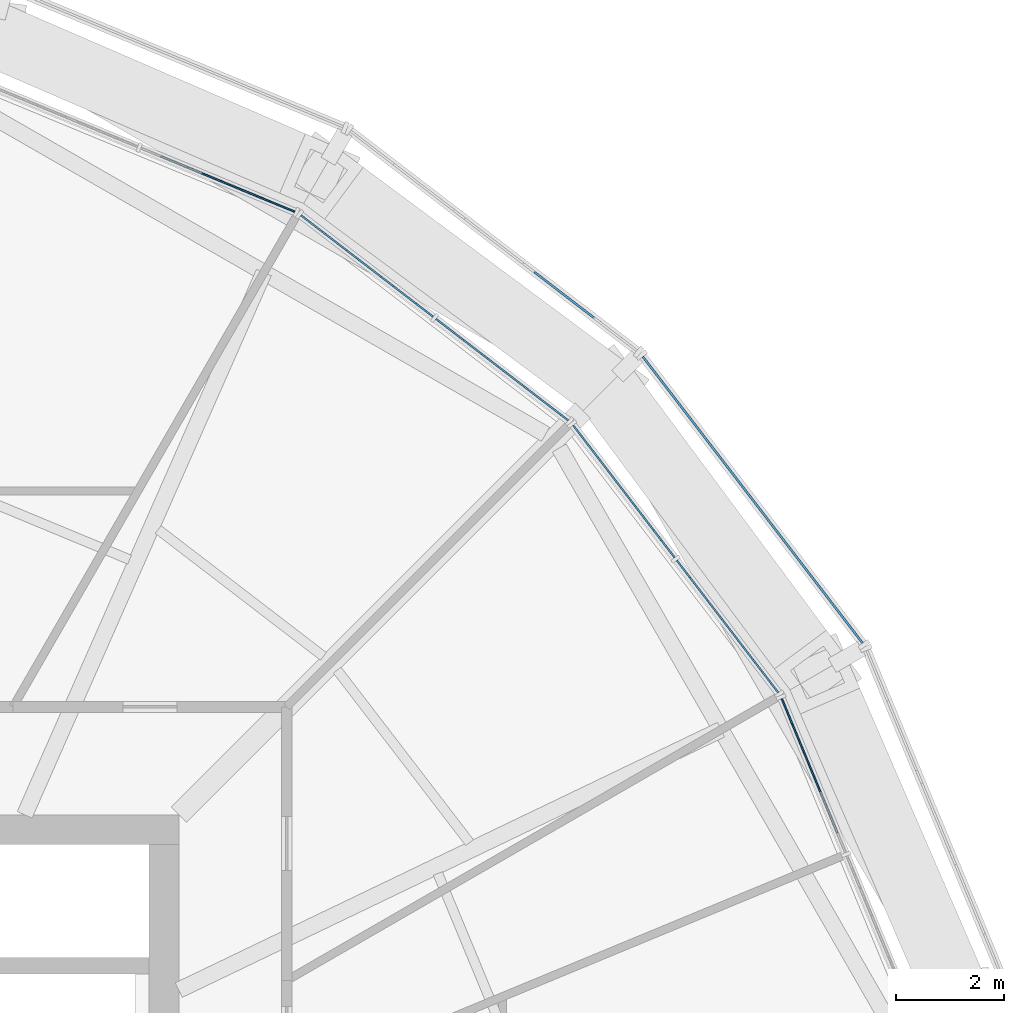
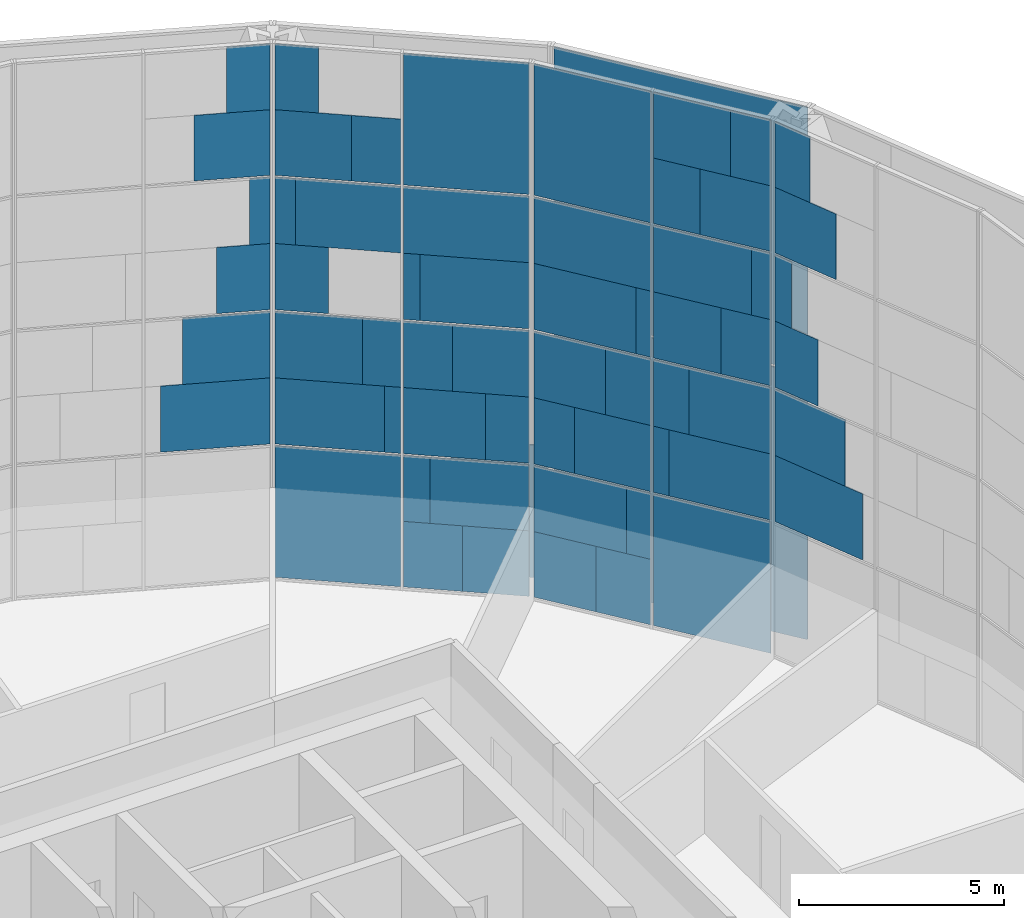
# One storey, part 23 of 28: 63 plates, 6 elements without a shape of their own.
"""IFC4 building model written with IfcOpenShell, lengths in metres."""

from ifc_helpers import new_model, si_unit, direction, frame, origin, origin_2d, place, context, subcontext, project, spatial, rectangle, extrude, material, layer, layer_set, type_object, element, aggregate, save


model = new_model("IFC4")

# Units and contexts
model_context = context("Model", 3, precision=1e-05, world=origin(), true_north=direction((0.0, 1.0)))
body_context = subcontext(model_context, "Body", "Model", "MODEL_VIEW")
ifc_project = project(units=[si_unit("LENGTHUNIT", "METRE"), si_unit("AREAUNIT", "SQUARE_METRE"), si_unit("VOLUMEUNIT", "CUBIC_METRE"), si_unit("PLANEANGLEUNIT", "RADIAN"), si_unit("MASSUNIT", "GRAM", prefix="KILO")], contexts=[model_context])

# Site, building, storey
site_placement = place(None, origin())
site = spatial("IfcSite", under=ifc_project, at=site_placement, CompositionType="ELEMENT")
building_placement = place(site_placement, origin())
building = spatial("IfcBuilding", under=site, at=building_placement, Name="Golbaran Civic Tower", CompositionType="ELEMENT")
storey_placement = place(building_placement, frame((0.0, 0.0, 134.0)))
storey = spatial("IfcBuildingStorey", under=building, at=storey_placement, Name="L32", CompositionType="ELEMENT", Elevation=134.0)

# Curtain wall, plates
ifc_material_1 = material(Name="Aluminium and glass", Category="aluminium")
curtain_wall_type_1 = type_object("IfcCurtainWallType", Name="INNER SKIN CURTAIN WALL", PredefinedType="NOTDEFINED", material=ifc_material_1)
curtain_wall_1_placement = place(storey_placement, origin())
curtain_wall_1 = element("IfcCurtainWall", 1, at=curtain_wall_1_placement, inside=storey, type_object=curtain_wall_type_1, Name="Inner skin L32 facet 2 CW1", ObjectType="INNER SKIN", PredefinedType="USERDEFINED")
ifc_material_2 = material(Name="Clear insulating glass", Category="glass")
ifc_layer_1 = layer(ifc_material_2, 0.031982421875, Name="Clear insulating glass")
ifc_layer_set_1 = layer_set([ifc_layer_1], Name="Clear insulating glass")
plate_type_1 = type_object("IfcPlateType", Name="INNER SKIN CURTAIN WALL GLAZED PANEL", PredefinedType="CURTAIN_PANEL", material=ifc_layer_set_1)
plate_1_placement = place(storey_placement, frame((21.692138671875, 10.909912109375, 4.03271484375), z_axis=(0.0, 0.0, 1.0), x_axis=(-0.38268343243, 0.923879532485, 0.0)))
plate_1 = element("IfcPlate", 2, at=plate_1_placement, type_object=plate_type_1, Name="CW1 panel 2.2 part 2", PredefinedType="CURTAIN_PANEL", context=body_context, shape_type="SweptSolid", body=[
    extrude(rectangle(XDim=2.689697265625, YDim=0.031982421875, at=origin_2d()), origin(), (0.0, 0.0, 1.0), 1.967529296875),
])
plate_2_placement = place(storey_placement, frame((21.58935546875, 11.158447265625, 6.0), z_axis=(0.0, 0.0, 1.0), x_axis=(-0.38268343243, 0.923879532485, 0.0)))
plate_2 = element("IfcPlate", 3, at=plate_2_placement, type_object=plate_type_1, Name="CW1 panel 2.2 part 4", PredefinedType="CURTAIN_PANEL", context=body_context, shape_type="SweptSolid", body=[
    extrude(rectangle(XDim=2.151611328125, YDim=0.031982421875, at=origin_2d()), origin(), (0.0, 0.0, 1.0), 1.967529296875),
])
plate_3_placement = place(storey_placement, frame((21.4287109375, 11.546142578125, 8.03271484375), z_axis=(0.0, 0.0, 1.0), x_axis=(-0.38268343243, 0.923879532485, 0.0)))
plate_3 = element("IfcPlate", 4, at=plate_3_placement, type_object=plate_type_1, Name="CW1 panel 2.3 part 2", PredefinedType="CURTAIN_PANEL", context=body_context, shape_type="SweptSolid", body=[
    extrude(rectangle(XDim=1.3125, YDim=0.031982421875, at=origin_2d()), origin(), (0.0, 0.0, 1.0), 1.967529296875),
])
plate_4_placement = place(storey_placement, frame((21.2734375, 11.920654296875, 10.0), z_axis=(0.0, 0.0, 1.0), x_axis=(-0.38268343243, 0.923879532485, 0.0)))
plate_4 = element("IfcPlate", 5, at=plate_4_placement, type_object=plate_type_1, Name="CW1 panel 2.3 part 4", PredefinedType="CURTAIN_PANEL", context=body_context, shape_type="SweptSolid", body=[
    extrude(rectangle(XDim=0.501708984375, YDim=0.031982421875, at=origin_2d()), origin(), (0.0, 0.0, 1.0), 1.967529296875),
])

curtain_wall_2_placement = place(storey_placement, origin())
curtain_wall_2 = element("IfcCurtainWall", 6, at=curtain_wall_2_placement, inside=storey, type_object=curtain_wall_type_1, Name="Inner skin L32 facet 3 CW1", ObjectType="INNER SKIN", PredefinedType="USERDEFINED")
plate_5_placement = place(storey_placement, frame((20.17236328125, 13.489990234375, 0.06494140625), z_axis=(0.0, 0.0, 1.0), x_axis=(-0.60876142905, 0.793353340259, 0.0)))
plate_5 = element("IfcPlate", 7, at=plate_5_placement, type_object=plate_type_1, Name="CW1 panel 1.1", PredefinedType="CURTAIN_PANEL", context=body_context, shape_type="SweptSolid", body=[
    extrude(rectangle(XDim=3.090576171875, YDim=0.031982421875, at=origin_2d()), origin(), (0.0, 0.0, 1.0), 3.902587890625),
])
plate_6_placement = place(storey_placement, frame((20.294677734375, 13.330810546875, 4.03271484375), z_axis=(0.0, 0.0, 1.0), x_axis=(-0.60876142905, 0.793353340259, 0.0)))
plate_6 = element("IfcPlate", 8, at=plate_6_placement, type_object=plate_type_1, Name="CW1 panel 1.2 part 1", PredefinedType="CURTAIN_PANEL", context=body_context, shape_type="SweptSolid", body=[
    extrude(rectangle(XDim=2.68896484375, YDim=0.031982421875, at=origin_2d()), origin(), (0.0, 0.0, 1.0), 1.967529296875),
])
plate_7_placement = place(storey_placement, frame((20.45849609375, 13.117431640625, 6.0), z_axis=(0.0, 0.0, 1.0), x_axis=(-0.60876142905, 0.793353340259, 0.0)))
plate_7 = element("IfcPlate", 9, at=plate_7_placement, type_object=plate_type_1, Name="CW1 panel 1.2 part 3", PredefinedType="CURTAIN_PANEL", context=body_context, shape_type="SweptSolid", body=[
    extrude(rectangle(XDim=2.15087890625, YDim=0.031982421875, at=origin_2d()), origin(), (0.0, 0.0, 1.0), 1.967529296875),
])
plate_8_placement = place(storey_placement, frame((20.71337890625, 12.784912109375, 8.03271484375), z_axis=(0.0, 0.0, 1.0), x_axis=(-0.60876142905, 0.793353340259, 0.0)))
plate_8 = element("IfcPlate", 10, at=plate_8_placement, type_object=plate_type_1, Name="CW1 panel 1.3 part 1", PredefinedType="CURTAIN_PANEL", context=body_context, shape_type="SweptSolid", body=[
    extrude(rectangle(XDim=1.31298828125, YDim=0.031982421875, at=origin_2d()), origin(), (0.0, 0.0, 1.0), 1.967529296875),
])
plate_9_placement = place(storey_placement, frame((20.960693359375, 12.462890625, 10.0), z_axis=(0.0, 0.0, 1.0), x_axis=(-0.60876142905, 0.793353340259, 0.0)))
plate_9 = element("IfcPlate", 11, at=plate_9_placement, type_object=plate_type_1, Name="CW1 panel 1.3 part 3", PredefinedType="CURTAIN_PANEL", context=body_context, shape_type="SweptSolid", body=[
    extrude(rectangle(XDim=0.5009765625, YDim=0.031982421875, at=origin_2d()), origin(), (0.0, 0.0, 1.0), 1.967529296875),
])
plate_10_placement = place(storey_placement, frame((19.6025390625, 14.232666015625, 12.032470703125), z_axis=(0.0, 0.0, 1.0), x_axis=(-0.60876142905, 0.793353340259, 0.0)))
plate_10 = element("IfcPlate", 12, at=plate_10_placement, type_object=plate_type_1, Name="CW1 panel 1.4 part 2", PredefinedType="CURTAIN_PANEL", context=body_context, shape_type="SweptSolid", body=[
    extrude(rectangle(XDim=1.218505859375, YDim=0.031982421875, at=origin_2d()), origin(), (0.0, 0.0, 1.0), 1.951171875),
])
plate_11_placement = place(storey_placement, frame((19.84765625, 13.913330078125, 13.98388671875), z_axis=(0.0, 0.0, 1.0), x_axis=(-0.60876142905, 0.793353340259, 0.0)))
plate_11 = element("IfcPlate", 13, at=plate_11_placement, type_object=plate_type_1, Name="CW1 panel 1.4 part 4", PredefinedType="CURTAIN_PANEL", context=body_context, shape_type="SweptSolid", body=[
    extrude(rectangle(XDim=2.023681640625, YDim=0.031982421875, at=origin_2d()), origin(), (0.0, 0.0, 1.0), 1.951171875),
])
plate_12_placement = place(storey_placement, frame((18.75048828125, 15.34326171875, 0.06494140625), z_axis=(0.0, 0.0, 1.0), x_axis=(-0.60876142905, 0.793353340259, 0.0)))
plate_12 = element("IfcPlate", 14, at=plate_12_placement, type_object=plate_type_1, Name="CW1 panel 2.1 part 1", PredefinedType="CURTAIN_PANEL", context=body_context, shape_type="SweptSolid", body=[
    extrude(rectangle(XDim=1.450927734375, YDim=0.031982421875, at=origin_2d()), origin(), (0.0, 0.0, 1.0), 1.951171875),
])
plate_13_placement = place(storey_placement, frame((18.995361328125, 15.02392578125, 2.016357421875), z_axis=(0.0, 0.0, 1.0), x_axis=(-0.60876142905, 0.793353340259, 0.0)))
plate_13 = element("IfcPlate", 15, at=plate_13_placement, type_object=plate_type_1, Name="CW1 panel 2.1 part 3", PredefinedType="CURTAIN_PANEL", context=body_context, shape_type="SweptSolid", body=[
    extrude(rectangle(XDim=0.64599609375, YDim=0.031982421875, at=origin_2d()), origin(), (0.0, 0.0, 1.0), 1.951171875),
])
plate_14_placement = place(storey_placement, frame((17.637451171875, 16.793701171875, 4.03271484375), z_axis=(0.0, 0.0, 1.0), x_axis=(-0.60876142905, 0.793353340259, 0.0)))
plate_14 = element("IfcPlate", 16, at=plate_14_placement, type_object=plate_type_1, Name="CW1 panel 2.2 part 2", PredefinedType="CURTAIN_PANEL", context=body_context, shape_type="SweptSolid", body=[
    extrude(rectangle(XDim=1.073486328125, YDim=0.031982421875, at=origin_2d()), origin(), (0.0, 0.0, 1.0), 1.967529296875),
])
plate_15_placement = place(storey_placement, frame((17.88427734375, 16.471923828125, 6.0), z_axis=(0.0, 0.0, 1.0), x_axis=(-0.60876142905, 0.793353340259, 0.0)))
plate_15 = element("IfcPlate", 17, at=plate_15_placement, type_object=plate_type_1, Name="CW1 panel 2.2 part 4", PredefinedType="CURTAIN_PANEL", context=body_context, shape_type="SweptSolid", body=[
    extrude(rectangle(XDim=1.884521484375, YDim=0.031982421875, at=origin_2d()), origin(), (0.0, 0.0, 1.0), 1.967529296875),
])
plate_16_placement = place(storey_placement, frame((18.12939453125, 16.152587890625, 8.03271484375), z_axis=(0.0, 0.0, 1.0), x_axis=(-0.60876142905, 0.793353340259, 0.0)))
plate_16 = element("IfcPlate", 18, at=plate_16_placement, type_object=plate_type_1, Name="CW1 panel 2.3 part 2", PredefinedType="CURTAIN_PANEL", context=body_context, shape_type="SweptSolid", body=[
    extrude(rectangle(XDim=2.689697265625, YDim=0.031982421875, at=origin_2d()), origin(), (0.0, 0.0, 1.0), 1.967529296875),
])
plate_17_placement = place(storey_placement, frame((18.25146484375, 15.99365234375, 10.0), z_axis=(0.0, 0.0, 1.0), x_axis=(-0.60876142905, 0.793353340259, 0.0)))
plate_17 = element("IfcPlate", 19, at=plate_17_placement, type_object=plate_type_1, Name="CW1 panel 2.3 part 3", PredefinedType="CURTAIN_PANEL", context=body_context, shape_type="SweptSolid", body=[
    extrude(rectangle(XDim=3.090576171875, YDim=0.031982421875, at=origin_2d()), origin(), (0.0, 0.0, 1.0), 1.967529296875),
])
plate_18_placement = place(storey_placement, frame((18.25146484375, 15.99365234375, 12.0322265625), z_axis=(0.0, 0.0, 1.0), x_axis=(-0.60876142905, 0.793353340259, 0.0)))
plate_18 = element("IfcPlate", 20, at=plate_18_placement, type_object=plate_type_1, Name="CW1 panel 2.4", PredefinedType="CURTAIN_PANEL", context=body_context, shape_type="SweptSolid", body=[
    extrude(rectangle(XDim=3.090576171875, YDim=0.031982421875, at=origin_2d()), origin(), (0.0, 0.0, 1.0), 3.902587890625),
])

curtain_wall_3_placement = place(storey_placement, origin())
curtain_wall_3 = element("IfcCurtainWall", 21, at=curtain_wall_3_placement, inside=storey, type_object=curtain_wall_type_1, Name="Inner skin L32 facet 4 CW1", ObjectType="INNER SKIN", PredefinedType="USERDEFINED")
plate_19_placement = place(storey_placement, frame((15.343505859375, 18.750244140625, 0.06494140625), z_axis=(0.0, 0.0, 1.0), x_axis=(-0.793353340259, 0.60876142905, 0.0)))
plate_19 = element("IfcPlate", 22, at=plate_19_placement, type_object=plate_type_1, Name="CW1 panel 1.1 part 2", PredefinedType="CURTAIN_PANEL", context=body_context, shape_type="SweptSolid", body=[
    extrude(rectangle(XDim=1.45166015625, YDim=0.031982421875, at=origin_2d()), origin(), (0.0, 0.0, 1.0), 1.951171875),
])
plate_20_placement = place(storey_placement, frame((15.024169921875, 18.995361328125, 2.016357421875), z_axis=(0.0, 0.0, 1.0), x_axis=(-0.793353340259, 0.60876142905, 0.0)))
plate_20 = element("IfcPlate", 23, at=plate_20_placement, type_object=plate_type_1, Name="CW1 panel 1.1 part 4", PredefinedType="CURTAIN_PANEL", context=body_context, shape_type="SweptSolid", body=[
    extrude(rectangle(XDim=0.646484375, YDim=0.031982421875, at=origin_2d()), origin(), (0.0, 0.0, 1.0), 1.951171875),
])
plate_21_placement = place(storey_placement, frame((16.7939453125, 17.63720703125, 4.03271484375), z_axis=(0.0, 0.0, 1.0), x_axis=(-0.793353340259, 0.60876142905, 0.0)))
plate_21 = element("IfcPlate", 24, at=plate_21_placement, type_object=plate_type_1, Name="CW1 panel 1.2 part 1", PredefinedType="CURTAIN_PANEL", context=body_context, shape_type="SweptSolid", body=[
    extrude(rectangle(XDim=1.072998046875, YDim=0.031982421875, at=origin_2d()), origin(), (0.0, 0.0, 1.0), 1.967529296875),
])
plate_22_placement = place(storey_placement, frame((16.4716796875, 17.884521484375, 6.0), z_axis=(0.0, 0.0, 1.0), x_axis=(-0.793353340259, 0.60876142905, 0.0)))
plate_22 = element("IfcPlate", 25, at=plate_22_placement, type_object=plate_type_1, Name="CW1 panel 1.2 part 3", PredefinedType="CURTAIN_PANEL", context=body_context, shape_type="SweptSolid", body=[
    extrude(rectangle(XDim=1.885009765625, YDim=0.031982421875, at=origin_2d()), origin(), (0.0, 0.0, 1.0), 1.967529296875),
])
plate_23_placement = place(storey_placement, frame((16.15283203125, 18.129150390625, 8.03271484375), z_axis=(0.0, 0.0, 1.0), x_axis=(-0.793353340259, 0.60876142905, 0.0)))
plate_23 = element("IfcPlate", 26, at=plate_23_placement, type_object=plate_type_1, Name="CW1 panel 1.3 part 1", PredefinedType="CURTAIN_PANEL", context=body_context, shape_type="SweptSolid", body=[
    extrude(rectangle(XDim=2.68896484375, YDim=0.031982421875, at=origin_2d()), origin(), (0.0, 0.0, 1.0), 1.967529296875),
])
plate_24_placement = place(storey_placement, frame((15.99365234375, 18.25146484375, 10.0), z_axis=(0.0, 0.0, 1.0), x_axis=(-0.793353340259, 0.60876142905, 0.0)))
plate_24 = element("IfcPlate", 27, at=plate_24_placement, type_object=plate_type_1, Name="CW1 panel 1.3 part 3", PredefinedType="CURTAIN_PANEL", context=body_context, shape_type="SweptSolid", body=[
    extrude(rectangle(XDim=3.090576171875, YDim=0.031982421875, at=origin_2d()), origin(), (0.0, 0.0, 1.0), 1.967529296875),
])
plate_25_placement = place(storey_placement, frame((15.99365234375, 18.25146484375, 12.0322265625), z_axis=(0.0, 0.0, 1.0), x_axis=(-0.793353340259, 0.60876142905, 0.0)))
plate_25 = element("IfcPlate", 28, at=plate_25_placement, type_object=plate_type_1, Name="CW1 panel 1.4", PredefinedType="CURTAIN_PANEL", context=body_context, shape_type="SweptSolid", body=[
    extrude(rectangle(XDim=3.090576171875, YDim=0.031982421875, at=origin_2d()), origin(), (0.0, 0.0, 1.0), 3.902587890625),
])
plate_26_placement = place(storey_placement, frame((13.489990234375, 20.17236328125, 0.06494140625), z_axis=(0.0, 0.0, 1.0), x_axis=(-0.793353340259, 0.60876142905, 0.0)))
plate_26 = element("IfcPlate", 29, at=plate_26_placement, type_object=plate_type_1, Name="CW1 panel 2.1", PredefinedType="CURTAIN_PANEL", context=body_context, shape_type="SweptSolid", body=[
    extrude(rectangle(XDim=3.090576171875, YDim=0.031982421875, at=origin_2d()), origin(), (0.0, 0.0, 1.0), 3.902587890625),
])
plate_27_placement = place(storey_placement, frame((13.3310546875, 20.29443359375, 4.03271484375), z_axis=(0.0, 0.0, 1.0), x_axis=(-0.793353340259, 0.60876142905, 0.0)))
plate_27 = element("IfcPlate", 30, at=plate_27_placement, type_object=plate_type_1, Name="CW1 panel 2.2 part 2", PredefinedType="CURTAIN_PANEL", context=body_context, shape_type="SweptSolid", body=[
    extrude(rectangle(XDim=2.689697265625, YDim=0.031982421875, at=origin_2d()), origin(), (0.0, 0.0, 1.0), 1.967529296875),
])
plate_28_placement = place(storey_placement, frame((13.11767578125, 20.458251953125, 6.0), z_axis=(0.0, 0.0, 1.0), x_axis=(-0.793353340259, 0.60876142905, 0.0)))
plate_28 = element("IfcPlate", 31, at=plate_28_placement, type_object=plate_type_1, Name="CW1 panel 2.2 part 4", PredefinedType="CURTAIN_PANEL", context=body_context, shape_type="SweptSolid", body=[
    extrude(rectangle(XDim=2.151611328125, YDim=0.031982421875, at=origin_2d()), origin(), (0.0, 0.0, 1.0), 1.967529296875),
])
plate_29_placement = place(storey_placement, frame((12.78466796875, 20.713623046875, 8.03271484375), z_axis=(0.0, 0.0, 1.0), x_axis=(-0.793353340259, 0.60876142905, 0.0)))
plate_29 = element("IfcPlate", 32, at=plate_29_placement, type_object=plate_type_1, Name="CW1 panel 2.3 part 2", PredefinedType="CURTAIN_PANEL", context=body_context, shape_type="SweptSolid", body=[
    extrude(rectangle(XDim=1.3125, YDim=0.031982421875, at=origin_2d()), origin(), (0.0, 0.0, 1.0), 1.967529296875),
])
plate_30_placement = place(storey_placement, frame((12.463134765625, 20.96044921875, 10.0), z_axis=(0.0, 0.0, 1.0), x_axis=(-0.793353340259, 0.60876142905, 0.0)))
plate_30 = element("IfcPlate", 33, at=plate_30_placement, type_object=plate_type_1, Name="CW1 panel 2.3 part 4", PredefinedType="CURTAIN_PANEL", context=body_context, shape_type="SweptSolid", body=[
    extrude(rectangle(XDim=0.501708984375, YDim=0.031982421875, at=origin_2d()), origin(), (0.0, 0.0, 1.0), 1.967529296875),
])
plate_31_placement = place(storey_placement, frame((14.23291015625, 19.602294921875, 12.032470703125), z_axis=(0.0, 0.0, 1.0), x_axis=(-0.793353340259, 0.60876142905, 0.0)))
plate_31 = element("IfcPlate", 34, at=plate_31_placement, type_object=plate_type_1, Name="CW1 panel 2.4 part 1", PredefinedType="CURTAIN_PANEL", context=body_context, shape_type="SweptSolid", body=[
    extrude(rectangle(XDim=1.218017578125, YDim=0.031982421875, at=origin_2d()), origin(), (0.0, 0.0, 1.0), 1.951171875),
])

curtain_wall_4_placement = place(storey_placement, origin())
curtain_wall_4 = element("IfcCurtainWall", 35, at=curtain_wall_4_placement, inside=storey, type_object=curtain_wall_type_1, Name="Inner skin L32 facet 5 CW1", ObjectType="INNER SKIN", PredefinedType="USERDEFINED")
plate_32_placement = place(storey_placement, frame((10.910400390625, 21.692138671875, 4.03271484375), z_axis=(0.0, 0.0, 1.0), x_axis=(-0.923879532485, 0.38268343243, 0.0)))
plate_32 = element("IfcPlate", 36, at=plate_32_placement, type_object=plate_type_1, Name="CW1 panel 1.2 part 1", PredefinedType="CURTAIN_PANEL", context=body_context, shape_type="SweptSolid", body=[
    extrude(rectangle(XDim=2.68896484375, YDim=0.031982421875, at=origin_2d()), origin(), (0.0, 0.0, 1.0), 1.967529296875),
])
plate_33_placement = place(storey_placement, frame((11.158935546875, 21.589111328125, 6.0), z_axis=(0.0, 0.0, 1.0), x_axis=(-0.923879532485, 0.38268343243, 0.0)))
plate_33 = element("IfcPlate", 37, at=plate_33_placement, type_object=plate_type_1, Name="CW1 panel 1.2 part 3", PredefinedType="CURTAIN_PANEL", context=body_context, shape_type="SweptSolid", body=[
    extrude(rectangle(XDim=2.15087890625, YDim=0.031982421875, at=origin_2d()), origin(), (0.0, 0.0, 1.0), 1.967529296875),
])
plate_34_placement = place(storey_placement, frame((11.5458984375, 21.4287109375, 8.03271484375), z_axis=(0.0, 0.0, 1.0), x_axis=(-0.923879532485, 0.38268343243, 0.0)))
plate_34 = element("IfcPlate", 38, at=plate_34_placement, type_object=plate_type_1, Name="CW1 panel 1.3 part 1", PredefinedType="CURTAIN_PANEL", context=body_context, shape_type="SweptSolid", body=[
    extrude(rectangle(XDim=1.31298828125, YDim=0.031982421875, at=origin_2d()), origin(), (0.0, 0.0, 1.0), 1.967529296875),
])
plate_35_placement = place(storey_placement, frame((11.9208984375, 21.2734375, 10.0), z_axis=(0.0, 0.0, 1.0), x_axis=(-0.923879532485, 0.38268343243, 0.0)))
plate_35 = element("IfcPlate", 39, at=plate_35_placement, type_object=plate_type_1, Name="CW1 panel 1.3 part 3", PredefinedType="CURTAIN_PANEL", context=body_context, shape_type="SweptSolid", body=[
    extrude(rectangle(XDim=0.5009765625, YDim=0.031982421875, at=origin_2d()), origin(), (0.0, 0.0, 1.0), 1.967529296875),
])

# Plate
ifc_material_3 = material(Name="Aluminium faced opaque infill panel", Category="aluminium")
ifc_layer_2 = layer(ifc_material_3, 0.031982421875, Name="Aluminium faced opaque infill panel")
ifc_layer_set_2 = layer_set([ifc_layer_2], Name="Aluminium faced opaque infill panel")
plate_type_2 = type_object("IfcPlateType", Name="INNER SKIN CURTAIN WALL OPAQUE INFILL PANEL", PredefinedType="CURTAIN_PANEL", material=ifc_layer_set_2)
plate_36_placement = place(storey_placement, frame((21.535888671875, 11.287353515625, 12.032470703125), z_axis=(0.0, 0.0, 1.0), x_axis=(-0.38268343243, 0.923879532485, 0.0)))
plate_36 = element("IfcPlate", 40, at=plate_36_placement, type_object=plate_type_2, Name="CW1 infill panel 2.4 part 2", PredefinedType="CURTAIN_PANEL", context=body_context, shape_type="SweptSolid", body=[
    extrude(rectangle(XDim=1.87255859375, YDim=0.031982421875, at=origin_2d()), origin(), (0.0, 0.0, 1.0), 1.951171875),
])

plate_37_placement = place(storey_placement, frame((21.3818359375, 11.6591796875, 13.98388671875), z_axis=(0.0, 0.0, 1.0), x_axis=(-0.38268343243, 0.923879532485, 0.0)))
plate_37 = element("IfcPlate", 41, at=plate_37_placement, type_object=plate_type_2, Name="CW1 infill panel 2.4 part 4", PredefinedType="CURTAIN_PANEL", context=body_context, shape_type="SweptSolid", body=[
    extrude(rectangle(XDim=1.067626953125, YDim=0.031982421875, at=origin_2d()), origin(), (0.0, 0.0, 1.0), 1.951171875),
])

aggregate(curtain_wall_1, [plate_1, plate_2, plate_3, plate_4, plate_36, plate_37])

plate_38_placement = place(storey_placement, frame((19.35400390625, 14.556640625, 4.03271484375), z_axis=(0.0, 0.0, 1.0), x_axis=(-0.60876142905, 0.793353340259, 0.0)))
plate_38 = element("IfcPlate", 42, at=plate_38_placement, type_object=plate_type_2, Name="CW1 infill panel 1.2 part 2", PredefinedType="CURTAIN_PANEL", context=body_context, shape_type="SweptSolid", body=[
    extrude(rectangle(XDim=0.401611328125, YDim=0.031982421875, at=origin_2d()), origin(), (0.0, 0.0, 1.0), 1.967529296875),
])

plate_39_placement = place(storey_placement, frame((19.517578125, 14.34326171875, 6.0), z_axis=(0.0, 0.0, 1.0), x_axis=(-0.60876142905, 0.793353340259, 0.0)))
plate_39 = element("IfcPlate", 43, at=plate_39_placement, type_object=plate_type_2, Name="CW1 infill panel 1.2 part 4", PredefinedType="CURTAIN_PANEL", context=body_context, shape_type="SweptSolid", body=[
    extrude(rectangle(XDim=0.939697265625, YDim=0.031982421875, at=origin_2d()), origin(), (0.0, 0.0, 1.0), 1.967529296875),
])

plate_40_placement = place(storey_placement, frame((19.772705078125, 14.010986328125, 8.03271484375), z_axis=(0.0, 0.0, 1.0), x_axis=(-0.60876142905, 0.793353340259, 0.0)))
plate_40 = element("IfcPlate", 44, at=plate_40_placement, type_object=plate_type_2, Name="CW1 infill panel 1.3 part 2", PredefinedType="CURTAIN_PANEL", context=body_context, shape_type="SweptSolid", body=[
    extrude(rectangle(XDim=1.777587890625, YDim=0.031982421875, at=origin_2d()), origin(), (0.0, 0.0, 1.0), 1.967529296875),
])

plate_41_placement = place(storey_placement, frame((20.019775390625, 13.688720703125, 10.0), z_axis=(0.0, 0.0, 1.0), x_axis=(-0.60876142905, 0.793353340259, 0.0)))
plate_41 = element("IfcPlate", 45, at=plate_41_placement, type_object=plate_type_2, Name="CW1 infill panel 1.3 part 4", PredefinedType="CURTAIN_PANEL", context=body_context, shape_type="SweptSolid", body=[
    extrude(rectangle(XDim=2.589599609375, YDim=0.031982421875, at=origin_2d()), origin(), (0.0, 0.0, 1.0), 1.967529296875),
])

plate_42_placement = place(storey_placement, frame((20.543212890625, 13.006591796875, 12.032470703125), z_axis=(0.0, 0.0, 1.0), x_axis=(-0.60876142905, 0.793353340259, 0.0)))
plate_42 = element("IfcPlate", 46, at=plate_42_placement, type_object=plate_type_2, Name="CW1 infill panel 1.4 part 1", PredefinedType="CURTAIN_PANEL", context=body_context, shape_type="SweptSolid", body=[
    extrude(rectangle(XDim=1.8720703125, YDim=0.031982421875, at=origin_2d()), origin(), (0.0, 0.0, 1.0), 1.951171875),
])

plate_43_placement = place(storey_placement, frame((20.788330078125, 12.687255859375, 13.98388671875), z_axis=(0.0, 0.0, 1.0), x_axis=(-0.60876142905, 0.793353340259, 0.0)))
plate_43 = element("IfcPlate", 47, at=plate_43_placement, type_object=plate_type_2, Name="CW1 infill panel 1.4 part 3", PredefinedType="CURTAIN_PANEL", context=body_context, shape_type="SweptSolid", body=[
    extrude(rectangle(XDim=1.06689453125, YDim=0.031982421875, at=origin_2d()), origin(), (0.0, 0.0, 1.0), 1.951171875),
])

plate_44_placement = place(storey_placement, frame((17.809814453125, 16.569091796875, 0.06494140625), z_axis=(0.0, 0.0, 1.0), x_axis=(-0.60876142905, 0.793353340259, 0.0)))
plate_44 = element("IfcPlate", 48, at=plate_44_placement, type_object=plate_type_2, Name="CW1 infill panel 2.1 part 2", PredefinedType="CURTAIN_PANEL", context=body_context, shape_type="SweptSolid", body=[
    extrude(rectangle(XDim=1.6396484375, YDim=0.031982421875, at=origin_2d()), origin(), (0.0, 0.0, 1.0), 1.951171875),
])

plate_45_placement = place(storey_placement, frame((18.0546875, 16.249755859375, 2.016357421875), z_axis=(0.0, 0.0, 1.0), x_axis=(-0.60876142905, 0.793353340259, 0.0)))
plate_45 = element("IfcPlate", 49, at=plate_45_placement, type_object=plate_type_2, Name="CW1 infill panel 2.1 part 4", PredefinedType="CURTAIN_PANEL", context=body_context, shape_type="SweptSolid", body=[
    extrude(rectangle(XDim=2.444580078125, YDim=0.031982421875, at=origin_2d()), origin(), (0.0, 0.0, 1.0), 1.951171875),
])

plate_46_placement = place(storey_placement, frame((18.578125, 15.567626953125, 4.03271484375), z_axis=(0.0, 0.0, 1.0), x_axis=(-0.60876142905, 0.793353340259, 0.0)))
plate_46 = element("IfcPlate", 50, at=plate_46_placement, type_object=plate_type_2, Name="CW1 infill panel 2.2 part 1", PredefinedType="CURTAIN_PANEL", context=body_context, shape_type="SweptSolid", body=[
    extrude(rectangle(XDim=2.01708984375, YDim=0.031982421875, at=origin_2d()), origin(), (0.0, 0.0, 1.0), 1.967529296875),
])

plate_47_placement = place(storey_placement, frame((18.824951171875, 15.245849609375, 6.0), z_axis=(0.0, 0.0, 1.0), x_axis=(-0.60876142905, 0.793353340259, 0.0)))
plate_47 = element("IfcPlate", 51, at=plate_47_placement, type_object=plate_type_2, Name="CW1 infill panel 2.2 part 3", PredefinedType="CURTAIN_PANEL", context=body_context, shape_type="SweptSolid", body=[
    extrude(rectangle(XDim=1.2060546875, YDim=0.031982421875, at=origin_2d()), origin(), (0.0, 0.0, 1.0), 1.967529296875),
])

plate_48_placement = place(storey_placement, frame((19.070068359375, 14.9267578125, 8.03271484375), z_axis=(0.0, 0.0, 1.0), x_axis=(-0.60876142905, 0.793353340259, 0.0)))
plate_48 = element("IfcPlate", 52, at=plate_48_placement, type_object=plate_type_2, Name="CW1 infill panel 2.3 part 1", PredefinedType="CURTAIN_PANEL", context=body_context, shape_type="SweptSolid", body=[
    extrude(rectangle(XDim=0.40087890625, YDim=0.031982421875, at=origin_2d()), origin(), (0.0, 0.0, 1.0), 1.967529296875),
])

aggregate(curtain_wall_2, [plate_5, plate_6, plate_38, plate_7, plate_39, plate_8, plate_40, plate_9, plate_41, plate_42, plate_10, plate_43, plate_11, plate_12, plate_44, plate_13, plate_45, plate_46, plate_14, plate_47, plate_15, plate_48, plate_16, plate_17, plate_18])

plate_49_placement = place(storey_placement, frame((16.5693359375, 17.8095703125, 0.06494140625), z_axis=(0.0, 0.0, 1.0), x_axis=(-0.793353340259, 0.60876142905, 0.0)))
plate_49 = element("IfcPlate", 53, at=plate_49_placement, type_object=plate_type_2, Name="CW1 infill panel 1.1 part 1", PredefinedType="CURTAIN_PANEL", context=body_context, shape_type="SweptSolid", body=[
    extrude(rectangle(XDim=1.638916015625, YDim=0.031982421875, at=origin_2d()), origin(), (0.0, 0.0, 1.0), 1.951171875),
])

plate_50_placement = place(storey_placement, frame((16.25, 18.054443359375, 2.016357421875), z_axis=(0.0, 0.0, 1.0), x_axis=(-0.793353340259, 0.60876142905, 0.0)))
plate_50 = element("IfcPlate", 54, at=plate_50_placement, type_object=plate_type_2, Name="CW1 infill panel 1.1 part 3", PredefinedType="CURTAIN_PANEL", context=body_context, shape_type="SweptSolid", body=[
    extrude(rectangle(XDim=2.444091796875, YDim=0.031982421875, at=origin_2d()), origin(), (0.0, 0.0, 1.0), 1.951171875),
])

plate_51_placement = place(storey_placement, frame((15.56787109375, 18.577880859375, 4.03271484375), z_axis=(0.0, 0.0, 1.0), x_axis=(-0.793353340259, 0.60876142905, 0.0)))
plate_51 = element("IfcPlate", 55, at=plate_51_placement, type_object=plate_type_2, Name="CW1 infill panel 1.2 part 2", PredefinedType="CURTAIN_PANEL", context=body_context, shape_type="SweptSolid", body=[
    extrude(rectangle(XDim=2.017578125, YDim=0.031982421875, at=origin_2d()), origin(), (0.0, 0.0, 1.0), 1.967529296875),
])

plate_52_placement = place(storey_placement, frame((15.245849609375, 18.8251953125, 6.0), z_axis=(0.0, 0.0, 1.0), x_axis=(-0.793353340259, 0.60876142905, 0.0)))
plate_52 = element("IfcPlate", 56, at=plate_52_placement, type_object=plate_type_2, Name="CW1 infill panel 1.2 part 4", PredefinedType="CURTAIN_PANEL", context=body_context, shape_type="SweptSolid", body=[
    extrude(rectangle(XDim=1.20556640625, YDim=0.031982421875, at=origin_2d()), origin(), (0.0, 0.0, 1.0), 1.967529296875),
])

plate_53_placement = place(storey_placement, frame((14.927001953125, 19.06982421875, 8.03271484375), z_axis=(0.0, 0.0, 1.0), x_axis=(-0.793353340259, 0.60876142905, 0.0)))
plate_53 = element("IfcPlate", 57, at=plate_53_placement, type_object=plate_type_2, Name="CW1 infill panel 1.3 part 2", PredefinedType="CURTAIN_PANEL", context=body_context, shape_type="SweptSolid", body=[
    extrude(rectangle(XDim=0.401611328125, YDim=0.031982421875, at=origin_2d()), origin(), (0.0, 0.0, 1.0), 1.967529296875),
])

plate_54_placement = place(storey_placement, frame((14.556884765625, 19.353759765625, 4.03271484375), z_axis=(0.0, 0.0, 1.0), x_axis=(-0.793353340259, 0.60876142905, 0.0)))
plate_54 = element("IfcPlate", 58, at=plate_54_placement, type_object=plate_type_2, Name="CW1 infill panel 2.2 part 1", PredefinedType="CURTAIN_PANEL", context=body_context, shape_type="SweptSolid", body=[
    extrude(rectangle(XDim=0.40087890625, YDim=0.031982421875, at=origin_2d()), origin(), (0.0, 0.0, 1.0), 1.967529296875),
])

plate_55_placement = place(storey_placement, frame((14.343505859375, 19.517578125, 6.0), z_axis=(0.0, 0.0, 1.0), x_axis=(-0.793353340259, 0.60876142905, 0.0)))
plate_55 = element("IfcPlate", 59, at=plate_55_placement, type_object=plate_type_2, Name="CW1 infill panel 2.2 part 3", PredefinedType="CURTAIN_PANEL", context=body_context, shape_type="SweptSolid", body=[
    extrude(rectangle(XDim=0.93896484375, YDim=0.031982421875, at=origin_2d()), origin(), (0.0, 0.0, 1.0), 1.967529296875),
])

plate_56_placement = place(storey_placement, frame((13.68896484375, 20.019775390625, 10.0), z_axis=(0.0, 0.0, 1.0), x_axis=(-0.793353340259, 0.60876142905, 0.0)))
plate_56 = element("IfcPlate", 60, at=plate_56_placement, type_object=plate_type_2, Name="CW1 infill panel 2.3 part 3", PredefinedType="CURTAIN_PANEL", context=body_context, shape_type="SweptSolid", body=[
    extrude(rectangle(XDim=2.589111328125, YDim=0.031982421875, at=origin_2d()), origin(), (0.0, 0.0, 1.0), 1.967529296875),
])

plate_57_placement = place(storey_placement, frame((13.0068359375, 20.543212890625, 12.032470703125), z_axis=(0.0, 0.0, 1.0), x_axis=(-0.793353340259, 0.60876142905, 0.0)))
plate_57 = element("IfcPlate", 61, at=plate_57_placement, type_object=plate_type_2, Name="CW1 infill panel 2.4 part 2", PredefinedType="CURTAIN_PANEL", context=body_context, shape_type="SweptSolid", body=[
    extrude(rectangle(XDim=1.87255859375, YDim=0.031982421875, at=origin_2d()), origin(), (0.0, 0.0, 1.0), 1.951171875),
])

plate_58_placement = place(storey_placement, frame((12.6875, 20.7880859375, 13.98388671875), z_axis=(0.0, 0.0, 1.0), x_axis=(-0.793353340259, 0.60876142905, 0.0)))
plate_58 = element("IfcPlate", 62, at=plate_58_placement, type_object=plate_type_2, Name="CW1 infill panel 2.4 part 4", PredefinedType="CURTAIN_PANEL", context=body_context, shape_type="SweptSolid", body=[
    extrude(rectangle(XDim=1.067626953125, YDim=0.031982421875, at=origin_2d()), origin(), (0.0, 0.0, 1.0), 1.951171875),
])

aggregate(curtain_wall_3, [plate_49, plate_19, plate_50, plate_20, plate_21, plate_51, plate_22, plate_52, plate_23, plate_53, plate_24, plate_25, plate_26, plate_54, plate_27, plate_55, plate_28, plate_29, plate_56, plate_30, plate_31, plate_57, plate_58])

plate_59_placement = place(storey_placement, frame((11.28759765625, 21.53564453125, 12.032470703125), z_axis=(0.0, 0.0, 1.0), x_axis=(-0.923879532485, 0.38268343243, 0.0)))
plate_59 = element("IfcPlate", 63, at=plate_59_placement, type_object=plate_type_2, Name="CW1 infill panel 1.4 part 1", PredefinedType="CURTAIN_PANEL", context=body_context, shape_type="SweptSolid", body=[
    extrude(rectangle(XDim=1.8720703125, YDim=0.031982421875, at=origin_2d()), origin(), (0.0, 0.0, 1.0), 1.951171875),
])

plate_60_placement = place(storey_placement, frame((11.65966796875, 21.381591796875, 13.98388671875), z_axis=(0.0, 0.0, 1.0), x_axis=(-0.923879532485, 0.38268343243, 0.0)))
plate_60 = element("IfcPlate", 64, at=plate_60_placement, type_object=plate_type_2, Name="CW1 infill panel 1.4 part 3", PredefinedType="CURTAIN_PANEL", context=body_context, shape_type="SweptSolid", body=[
    extrude(rectangle(XDim=1.06689453125, YDim=0.031982421875, at=origin_2d()), origin(), (0.0, 0.0, 1.0), 1.951171875),
])

aggregate(curtain_wall_4, [plate_32, plate_33, plate_34, plate_35, plate_59, plate_60])

# Curtain wall, plate
curtain_wall_type_2 = type_object("IfcCurtainWallType", Name="OUTER SKIN TERRACOTTA SCREEN", PredefinedType="NOTDEFINED", material=ifc_material_1)
curtain_wall_5_placement = place(storey_placement, origin())
curtain_wall_5 = element("IfcCurtainWall", 65, at=curtain_wall_5_placement, inside=storey, type_object=curtain_wall_type_2, Name="Outer skin L32 facet 4 CW3", ObjectType="OUTER SKIN", PredefinedType="USERDEFINED")
ifc_material_4 = material(Name="Terracotta baguette screen", Category="masonry")
ifc_layer_3 = layer(ifc_material_4, 0.0400390625, Name="Terracotta baguette screen")
ifc_layer_set_3 = layer_set([ifc_layer_3], Name="Terracotta baguette screen")
plate_type_3 = type_object("IfcPlateType", Name="OUTER SKIN TERRACOTTA INFILL PANEL", PredefinedType="CURTAIN_PANEL", material=ifc_layer_set_3)
plate_61_placement = place(storey_placement, frame((17.541015625, 19.332275390625, -0.6298828125), z_axis=(0.0, 0.0, 1.0), x_axis=(-0.79335334027, 0.608761429036, 0.0)))
plate_61 = element("IfcPlate", 66, at=plate_61_placement, type_object=plate_type_3, Name="CW3 infill panel 1.1 part 1", PredefinedType="CURTAIN_PANEL", context=body_context, shape_type="SweptSolid", body=[
    extrude(rectangle(XDim=2.39501953125, YDim=0.0400390625, at=origin_2d()), origin(), (0.0, 0.0, 1.0), 3.93994140625),
])
aggregate(curtain_wall_5, [plate_61])

# Curtain wall, plates
curtain_wall_6_placement = place(storey_placement, origin())
curtain_wall_6 = element("IfcCurtainWall", 67, at=curtain_wall_6_placement, inside=storey, type_object=curtain_wall_type_2, Name="Outer skin L32 facet 3 CW3", ObjectType="OUTER SKIN", PredefinedType="USERDEFINED")
ifc_layer_4 = layer(ifc_material_4, 0.0400390625, Name="Terracotta baguette screen")
ifc_layer_set_4 = layer_set([ifc_layer_4], Name="Terracotta baguette screen")
plate_type_4 = type_object("IfcPlateType", Name="OUTER SKIN TERRACOTTA SCREEN PANEL", PredefinedType="CURTAIN_PANEL", material=ifc_layer_set_4)
plate_62_placement = place(storey_placement, frame((20.639404296875, 15.837158203125, -0.6298828125), z_axis=(0.0, 0.0, 1.0), x_axis=(-0.608761429036, 0.79335334027, 0.0)))
plate_62 = element("IfcPlate", 68, at=plate_62_placement, type_object=plate_type_4, Name="CW3 terracotta screen panel 1.1", PredefinedType="CURTAIN_PANEL", context=body_context, shape_type="SweptSolid", body=[
    extrude(rectangle(XDim=6.68994140625, YDim=0.0400390625, at=origin_2d()), origin(), (0.0, 0.0, 1.0), 7.8798828125),
])
plate_63_placement = place(storey_placement, frame((20.639404296875, 15.837158203125, 7.330078125), z_axis=(0.0, 0.0, 1.0), x_axis=(-0.608761429036, 0.79335334027, 0.0)))
plate_63 = element("IfcPlate", 69, at=plate_63_placement, type_object=plate_type_4, Name="CW3 terracotta screen panel 1.2", PredefinedType="CURTAIN_PANEL", context=body_context, shape_type="SweptSolid", body=[
    extrude(rectangle(XDim=6.68994140625, YDim=0.0400390625, at=origin_2d()), origin(), (0.0, 0.0, 1.0), 7.8798828125),
])
aggregate(curtain_wall_6, [plate_62, plate_63])

save(model, "model.ifc")
